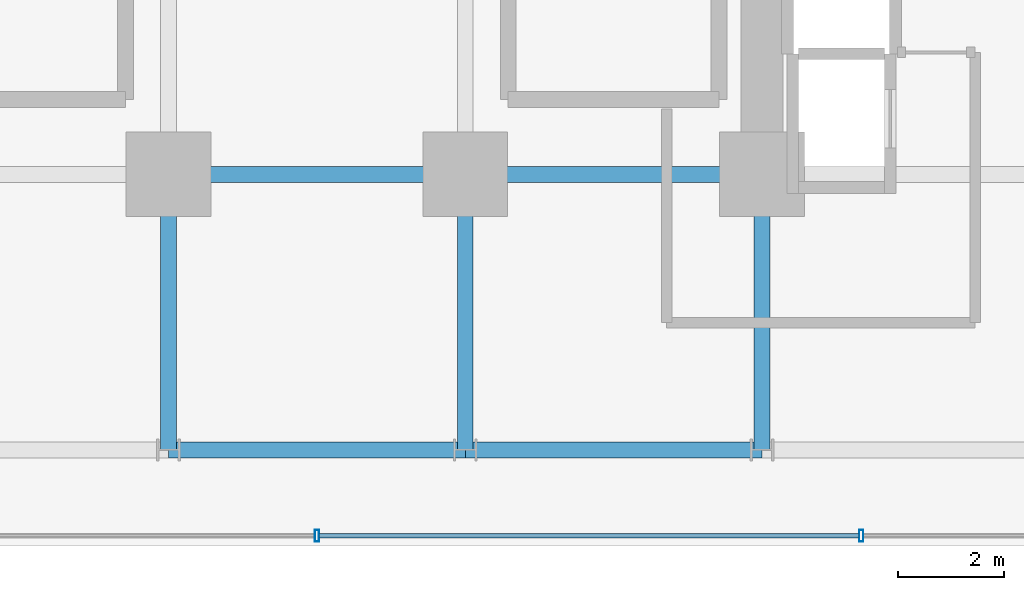
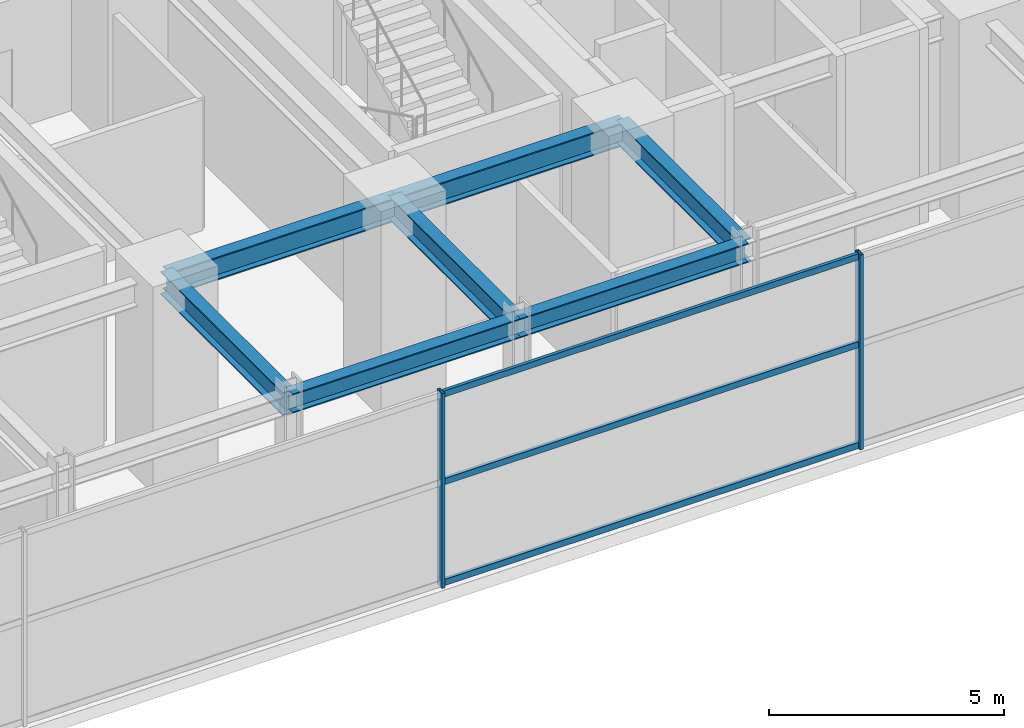
# One storey, part 10 of 32: 7 beams, 5 members, 1 element without a shape of its own.
"""IFC4 building model written with IfcOpenShell, lengths in metres."""

from ifc_helpers import new_model, si_unit, direction, frame, origin, origin_2d, place, context, subcontext, project, spatial, hollow_rectangle, i_section, extrude, source, transform, mapped, material, material_profile, profile_set, type_object, element, aggregate, save


model = new_model("IFC4")

# Units and contexts
model_context = context("Model", 3, precision=1e-05, world=origin(), true_north=direction((0.0, 1.0)))
body_context = subcontext(model_context, "Body", "Model", "MODEL_VIEW")
ifc_project = project(units=[si_unit("LENGTHUNIT", "METRE"), si_unit("AREAUNIT", "SQUARE_METRE"), si_unit("VOLUMEUNIT", "CUBIC_METRE"), si_unit("PLANEANGLEUNIT", "RADIAN"), si_unit("MASSUNIT", "GRAM", prefix="KILO")], contexts=[model_context])

# Site, building, storey
site_placement = place(None, origin())
site = spatial("IfcSite", under=ifc_project, at=site_placement, CompositionType="ELEMENT")
building_placement = place(site_placement, origin())
building = spatial("IfcBuilding", under=site, at=building_placement, Name="Nahalor Promenade Grand Hotel", CompositionType="ELEMENT")
storey_placement = place(building_placement, frame((0.0, 0.0, 10.800048828125)))
storey = spatial("IfcBuildingStorey", under=building, at=storey_placement, Name="L02", CompositionType="ELEMENT", Elevation=10.800048828125)

# Beams
ifc_material_1 = material(Name="Steel S355JR", Category="steel")
ifc_material_profile_1 = material_profile(ifc_material_1, i_section(OverallWidth=0.3, OverallDepth=0.6, WebThickness=0.0155, FlangeThickness=0.03, at=origin_2d()), Name="HEB 600")
ifc_profile_set_1 = profile_set([ifc_material_profile_1], Name="Steel S355JR")
beam_type_1 = type_object("IfcBeamType", Name="Beam-Girder-HEB600", PredefinedType="BEAM", material=ifc_profile_set_1)
shared_shape_1 = source(origin(), body_context, "Body", "SweptSolid", [
    extrude(i_section(OverallWidth=0.3, OverallDepth=0.6, WebThickness=0.0155, FlangeThickness=0.03, at=origin_2d()), origin(), (0.0, 0.0, 1.0), 5.599853515625),
])
beam_1_placement = place(storey_placement, frame((2.800048828125, -17.0, 4.760009765625), z_axis=(1.0, 0.0, 0.0), x_axis=(0.0, 1.0, 0.0)))
element("IfcBeam", 1, at=beam_1_placement, inside=storey, type_object=beam_type_1, Name="BM-L02-GX-0-5", PredefinedType="BEAM", context=body_context, shape_type="MappedRepresentation", body=[
    mapped(shared_shape_1, transform((0.0, 0.0, 0.0), scale=1.0)),
])
shared_shape_2 = source(origin(), body_context, "Body", "SweptSolid", [
    extrude(i_section(OverallWidth=0.3, OverallDepth=0.6, WebThickness=0.0155, FlangeThickness=0.03, at=origin_2d()), origin(), (0.0, 0.0, 1.0), 5.60009765625),
])
beam_2_placement = place(storey_placement, frame((-2.800048828125, -17.0, 4.760009765625), z_axis=(1.0, 0.0, 0.0), x_axis=(0.0, 1.0, 0.0)))
element("IfcBeam", 2, at=beam_2_placement, inside=storey, type_object=beam_type_1, Name="BM-L02-GX-0-4", PredefinedType="BEAM", context=body_context, shape_type="MappedRepresentation", body=[
    mapped(shared_shape_2, transform((0.0, 0.0, 0.0), scale=1.0)),
])
shared_shape_3 = source(origin(), body_context, "Body", "SweptSolid", [
    extrude(i_section(OverallWidth=0.3, OverallDepth=0.6, WebThickness=0.0155, FlangeThickness=0.03, at=origin_2d()), origin(), (0.0, 0.0, 1.0), 5.199951171875),
])
for number, where, z_axis, x_axis, name in (
    (3, (-2.800048828125, -22.199951171875, 4.760009765625), (0.0, 1.0, 0.0), (-1.0, 0.0, 0.0), "BM-L02-GY-2-0"),
    (4, (2.800048828125, -22.199951171875, 4.760009765625), (0.0, 1.0, 0.0), (-1.0, 0.0, 0.0), "BM-L02-GY-3-0"),
    (5, (8.39990234375, -22.199951171875, 4.760009765625), (0.0, 1.0, 0.0), (-1.0, 0.0, 0.0), "BM-L02-GY-4-0"),
):
    element("IfcBeam", number, at=place(storey_placement, frame(where, z_axis=z_axis, x_axis=x_axis)), inside=storey, type_object=beam_type_1, Name=name, PredefinedType="BEAM", context=body_context, shape_type="MappedRepresentation", body=[
        mapped(shared_shape_3, transform((0.0, 0.0, 0.0), scale=1.0)),
    ])
ifc_material_profile_2 = material_profile(ifc_material_1, i_section(OverallWidth=0.3, OverallDepth=0.5, WebThickness=0.0145, FlangeThickness=0.028, at=origin_2d()), Name="HEB 500")
ifc_profile_set_2 = profile_set([ifc_material_profile_2], Name="Steel S355JR")
beam_type_2 = type_object("IfcBeamType", Name="Beam-Spandrel-HEB500", PredefinedType="SPANDREL", material=ifc_profile_set_2)
shared_shape_4 = source(origin(), body_context, "Body", "SweptSolid", [
    extrude(i_section(OverallWidth=0.3, OverallDepth=0.5, WebThickness=0.0145, FlangeThickness=0.028, at=origin_2d()), origin(), (0.0, 0.0, 1.0), 5.599853515625),
])
beam_3_placement = place(storey_placement, frame((2.800048828125, -22.199951171875, 4.81005859375), z_axis=(1.0, 0.0, 0.0), x_axis=(0.0, 1.0, 0.0)))
element("IfcBeam", 6, at=beam_3_placement, inside=storey, type_object=beam_type_2, Name="BM-L02-SP-S-3", PredefinedType="SPANDREL", context=body_context, shape_type="MappedRepresentation", body=[
    mapped(shared_shape_4, transform((0.0, 0.0, 0.0), scale=1.0)),
])
shared_shape_5 = source(origin(), body_context, "Body", "SweptSolid", [
    extrude(i_section(OverallWidth=0.3, OverallDepth=0.5, WebThickness=0.0145, FlangeThickness=0.028, at=origin_2d()), origin(), (0.0, 0.0, 1.0), 5.60009765625),
])
beam_4_placement = place(storey_placement, frame((-2.800048828125, -22.199951171875, 4.81005859375), z_axis=(1.0, 0.0, 0.0), x_axis=(0.0, 1.0, 0.0)))
element("IfcBeam", 7, at=beam_4_placement, inside=storey, type_object=beam_type_2, Name="BM-L02-SP-S-2", PredefinedType="SPANDREL", context=body_context, shape_type="MappedRepresentation", body=[
    mapped(shared_shape_5, transform((0.0, 0.0, 0.0), scale=1.0)),
])

# Curtain wall, members
ifc_material_2 = material(Name="Anodised Bronze Aluminium EN AW-6063 T6", Category="aluminium")
curtain_wall_type = type_object("IfcCurtainWallType", Name="CW1 Waterfront Podium Bronze Arcade Curtain Wall", PredefinedType="USERDEFINED", material=ifc_material_2)
curtain_wall_placement = place(storey_placement, origin())
curtain_wall = element("IfcCurtainWall", 8, at=curtain_wall_placement, inside=storey, type_object=curtain_wall_type, Name="L02 Curtain Wall CW-L02-S", ObjectType="UNITISED_CURTAIN_WALL", PredefinedType="USERDEFINED")
ifc_material_profile_3 = material_profile(ifc_material_2, hollow_rectangle(XDim=0.08, YDim=0.22, WallThickness=0.005, at=origin_2d()), Name="CWM 80x220x5")
ifc_profile_set_3 = profile_set([ifc_material_profile_3], Name="Anodised Bronze Aluminium EN AW-6063 T6")
member_type_1 = type_object("IfcMemberType", Name="CWM1 Podium Bronze Mullion 80x220", PredefinedType="MULLION", material=ifc_profile_set_3)
shared_shape_6 = source(origin(), body_context, "Body", "SweptSolid", [
    extrude(hollow_rectangle(XDim=0.08, YDim=0.22, WallThickness=0.005, at=origin_2d()), origin(), (0.0, 0.0, 1.0), 5.06005859375),
])
member_1_placement = place(storey_placement, frame((0.0, -23.820068359375, 0.0), z_axis=(0.0, 0.0, 1.0), x_axis=(1.0, 0.0, 0.0)))
member_1 = element("IfcMember", 9, at=member_1_placement, type_object=member_type_1, Name="CW-L02-S Mullion 3", PredefinedType="MULLION", context=body_context, shape_type="MappedRepresentation", body=[
    mapped(shared_shape_6, transform((0.0, 0.0, 0.0), scale=1.0)),
])
member_2_placement = place(storey_placement, frame((10.2734375, -23.820068359375, 0.0), z_axis=(0.0, 0.0, 1.0), x_axis=(1.0, 0.0, 0.0)))
member_2 = element("IfcMember", 10, at=member_2_placement, type_object=member_type_1, Name="CW-L02-S Mullion 4", PredefinedType="MULLION", context=body_context, shape_type="MappedRepresentation", body=[
    mapped(shared_shape_6, transform((0.0, 0.0, 0.0), scale=1.0)),
])
ifc_material_profile_4 = material_profile(ifc_material_2, hollow_rectangle(XDim=0.08, YDim=0.16, WallThickness=0.004, at=origin_2d()), Name="CWT 80x160x4")
ifc_profile_set_4 = profile_set([ifc_material_profile_4], Name="Anodised Bronze Aluminium EN AW-6063 T6")
member_type_2 = type_object("IfcMemberType", Name="CWT1 Podium Bronze Transom 80x160", PredefinedType="USERDEFINED", material=ifc_profile_set_4)
shared_shape_7 = source(origin(), body_context, "Body", "SweptSolid", [
    extrude(hollow_rectangle(XDim=0.08, YDim=0.16, WallThickness=0.004, at=origin_2d()), origin(), (0.0, 0.0, 1.0), 10.193359375),
])
member_3_placement = place(storey_placement, frame((0.0400390625, -23.820068359375, 0.079833984375), z_axis=(1.0, 0.0, 0.0), x_axis=(0.0, 1.0, 0.0)))
member_3 = element("IfcMember", 11, at=member_3_placement, type_object=member_type_2, Name="CW-L02-S Transom 3-0", ObjectType="TRANSOM", PredefinedType="USERDEFINED", context=body_context, shape_type="MappedRepresentation", body=[
    mapped(shared_shape_7, transform((0.0, 0.0, 0.0), scale=1.0)),
])
member_4_placement = place(storey_placement, frame((0.0400390625, -23.820068359375, 2.699951171875), z_axis=(1.0, 0.0, 0.0), x_axis=(0.0, 1.0, 0.0)))
member_4 = element("IfcMember", 12, at=member_4_placement, type_object=member_type_2, Name="CW-L02-S Transom 3-1", ObjectType="TRANSOM", PredefinedType="USERDEFINED", context=body_context, shape_type="MappedRepresentation", body=[
    mapped(shared_shape_7, transform((0.0, 0.0, 0.0), scale=1.0)),
])
member_5_placement = place(storey_placement, frame((0.0400390625, -23.820068359375, 4.97998046875), z_axis=(1.0, 0.0, 0.0), x_axis=(0.0, 1.0, 0.0)))
member_5 = element("IfcMember", 13, at=member_5_placement, type_object=member_type_2, Name="CW-L02-S Transom 3-2", ObjectType="TRANSOM", PredefinedType="USERDEFINED", context=body_context, shape_type="MappedRepresentation", body=[
    mapped(shared_shape_7, transform((0.0, 0.0, 0.0), scale=1.0)),
])
aggregate(curtain_wall, [member_1, member_2, member_3, member_4, member_5])

save(model, "model.ifc")
